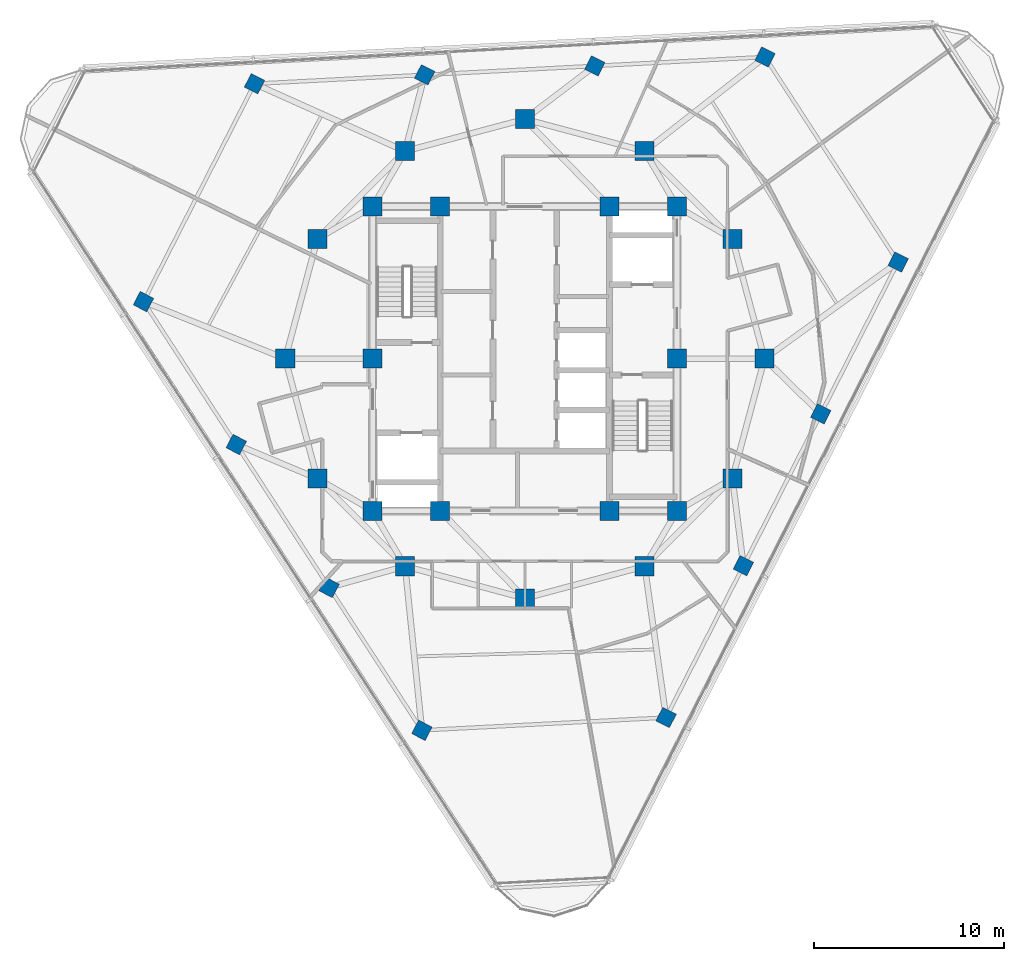
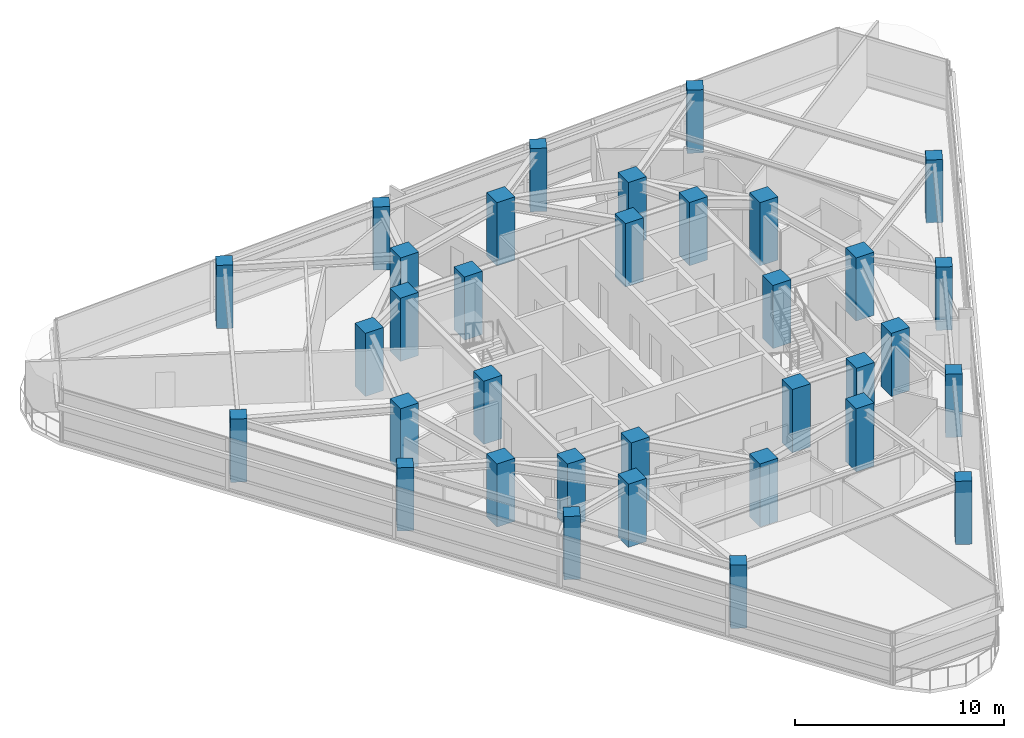
# One storey, part 1 of 15: 34 columns.
"""IFC4 building model written with IfcOpenShell, lengths in metres."""

import ifcopenshell
import ifcopenshell.guid

model = None  # the IFC model being written
_history = None  # IfcOwnerHistory: only IFC2X3 demands one
_inside = {}  # id of a spatial element -> (the spatial element, [elements in it])
_under = {}  # id of a project, library or spatial element -> (it, [spatial elements below it])
_declared = {}  # id of a project -> (the project, [libraries it declares])
_typed = {}  # id of a type object -> (the type object, [elements of that type])
_made_of = {}  # id of a material, layer set ... -> (it, [elements and type objects made of it])


def new_model(schema):
    """Start an empty IFC model of exactly this schema.

    Asked for "IFC4X3", IfcOpenShell would pick the latest addendum, in which some entities
    have other attributes; the version numbers below select the first issue.
    IFC2X3 requires an IfcOwnerHistory on every rooted entity: one is made here for all.
    """
    global model, _history
    if schema == "IFC4X3":
        model = ifcopenshell.file(schema_version=(4, 3, 0, 0))
    else:
        model = ifcopenshell.file(schema=schema)
    _inside.clear()
    _under.clear()
    _declared.clear()
    _typed.clear()
    _made_of.clear()
    _history = None
    if model.schema == "IFC2X3":
        org = make("IfcOrganization", Name="unknown")
        user = make(
            "IfcPersonAndOrganization",
            ThePerson=make("IfcPerson", FamilyName="unknown"),
            TheOrganization=org,
        )
        app = make(
            "IfcApplication",
            ApplicationDeveloper=org,
            Version="unknown",
            ApplicationFullName="unknown",
            ApplicationIdentifier="unknown",
        )
        _history = make(
            "IfcOwnerHistory",
            OwningUser=user,
            OwningApplication=app,
            ChangeAction="ADDED",
            CreationDate=0,
        )
    return model


def make(cls, **values):
    """One entity of the class cls with the attributes given. An attribute that is None is left unset."""
    return model.create_entity(
        cls, **{name: value for name, value in values.items() if value is not None}
    )


def rooted(cls, **values):
    """An entity with a GlobalId (a new one), such as an element, a storey or a relation."""
    return make(cls, GlobalId=ifcopenshell.guid.new(), OwnerHistory=_history, **values)


def si_unit(unit_type, name, prefix=None):
    """IfcSIUnit, for example si_unit("LENGTHUNIT", "METRE", prefix="MILLI")."""
    return make("IfcSIUnit", UnitType=unit_type, Prefix=prefix, Name=name)


def assignment(units):
    """IfcUnitAssignment: the units of a project."""
    return None if units is None else make("IfcUnitAssignment", Units=units)


def point(xyz):
    """IfcCartesianPoint."""
    return None if xyz is None else make("IfcCartesianPoint", Coordinates=xyz)


def direction(xyz):
    """IfcDirection."""
    return None if xyz is None else make("IfcDirection", DirectionRatios=xyz)


def frame(location, z_axis=None, x_axis=None):
    """IfcAxis2Placement3D, a coordinate frame: its origin and axes. An axis left out is left unset."""
    return make(
        "IfcAxis2Placement3D",
        Location=point(location),
        Axis=direction(z_axis),
        RefDirection=direction(x_axis),
    )


def frame_2d(location, x_axis=None):
    """IfcAxis2Placement2D, a coordinate frame in the plane: its origin and x axis."""
    return make(
        "IfcAxis2Placement2D", Location=point(location), RefDirection=direction(x_axis)
    )


def origin():
    """The frame at (0, 0, 0) with its axes left unset."""
    return frame((0.0, 0.0, 0.0))


def origin_2d():
    """The frame at (0, 0) in the plane with its x axis left unset."""
    return frame_2d((0.0, 0.0))


def place(relative_to, where):
    """IfcLocalPlacement: puts the frame where relative to a parent placement (None: the world)."""
    return make(
        "IfcLocalPlacement", PlacementRelTo=relative_to, RelativePlacement=where
    )


def context(
    kind, dimensions, precision=None, world=None, true_north=None, identifier=None
):
    """IfcGeometricRepresentationContext, for example the 3D "Model" context."""
    return make(
        "IfcGeometricRepresentationContext",
        ContextIdentifier=identifier,
        ContextType=kind,
        CoordinateSpaceDimension=dimensions,
        Precision=precision,
        WorldCoordinateSystem=world,
        TrueNorth=true_north,
    )


def subcontext(parent, identifier, kind, view, scale=None):
    """IfcGeometricRepresentationSubContext, for example "Body" below "Model"."""
    return make(
        "IfcGeometricRepresentationSubContext",
        ContextIdentifier=identifier,
        ContextType=kind,
        ParentContext=parent,
        TargetScale=scale,
        TargetView=view,
    )


def project(units=None, contexts=None):
    """IfcProject with its units and contexts."""
    return rooted(
        "IfcProject",
        Name="project",
        RepresentationContexts=contexts,
        UnitsInContext=assignment(units),
    )


def spatial(cls, under=None, at=None, **own):
    """A site, building, storey or space (cls), placed at a placement, below another one or the project."""
    s = rooted(cls, ObjectPlacement=at, **own)
    if under is not None:
        _under.setdefault(under.id(), (under, []))[1].append(s)
    return s


def profile(cls, at=None, kind="AREA", **sizes):
    """A parametric profile (cls). Its sizes go by their IFC names, for example OverallWidth=200.0."""
    return make(cls, ProfileType=kind, Position=at, **sizes)


def rectangle(**sizes):
    """IfcRectangleProfileDef."""
    return profile("IfcRectangleProfileDef", **sizes)


def extrude(swept, where, along, depth):
    """IfcExtrudedAreaSolid: the profile swept, set in the frame where, extruded along a direction by depth."""
    return make(
        "IfcExtrudedAreaSolid",
        SweptArea=swept,
        Position=where,
        ExtrudedDirection=direction(along),
        Depth=depth,
    )


def shape(context_of_items, identifier, shape_type, items):
    """IfcShapeRepresentation: the items that make up one representation, for example the "Body"."""
    return make(
        "IfcShapeRepresentation",
        ContextOfItems=context_of_items,
        RepresentationIdentifier=identifier,
        RepresentationType=shape_type,
        Items=items,
    )


def material(Name=None, Category=None):
    """IfcMaterial."""
    return make("IfcMaterial", Name=Name, Category=Category)


def material_profile(
    of_material, cross_section, Name=None, Category=None, Priority=None
):
    """IfcMaterialProfile: a cross section and its material."""
    return make(
        "IfcMaterialProfile",
        Name=Name,
        Material=of_material,
        Profile=cross_section,
        Priority=Priority,
        Category=Category,
    )


def profile_set(profiles, Name=None, composite=None):
    """IfcMaterialProfileSet."""
    return make(
        "IfcMaterialProfileSet",
        Name=Name,
        MaterialProfiles=profiles,
        CompositeProfile=composite,
    )


def made_of(thing, what):
    """Note that an element or type object is made of a material, layer set ...; save() writes the relation."""
    if what is not None:
        _made_of.setdefault(what.id(), (what, []))[1].append(thing)
    return thing


def type_object(cls, material=None, **own):
    """A type object (cls), such as IfcWallType, which elements share."""
    return made_of(rooted(cls, **own), material)


def element(
    cls,
    number,
    at=None,
    inside=None,
    cuts=None,
    type_object=None,
    material=None,
    context=None,
    identifier="Body",
    shape_type=None,
    held_by="IfcProductDefinitionShape",
    body=None,
    shapes=None,
    **own,
):
    """One element of the class cls, such as IfcWall. Its Tag is "e" and its number.

    at: its placement. inside: the storey or other place that contains it. cuts: it is an
    opening in that element (IfcRelVoidsElement). A single representation is given by context,
    identifier, shape_type and body (its items); several are given by shapes. held_by: the class
    of the entity that holds the representations. save() writes the other relations.
    """
    e = rooted(cls, Tag="e%d" % number, ObjectPlacement=at, **own)
    if body is not None:
        shapes = [shape(context, identifier, shape_type, body)]
    if shapes is not None:
        e.Representation = make(held_by, Representations=shapes)
    if inside is not None:
        _inside.setdefault(inside.id(), (inside, []))[1].append(e)
    if cuts is not None:
        rooted(
            "IfcRelVoidsElement", RelatingBuildingElement=cuts, RelatedOpeningElement=e
        )
    if type_object is not None:
        _typed.setdefault(type_object.id(), (type_object, []))[1].append(e)
    return made_of(e, material)


def aggregate(whole, parts):
    """IfcRelAggregates: a whole, such as a stair, and the parts it consists of."""
    return rooted("IfcRelAggregates", RelatingObject=whole, RelatedObjects=parts)


def save(model, path):
    """Write the relations noted so far, then the file.

    IfcRelAggregates (storeys below a building ...), IfcRelContainedInSpatialStructure (elements
    in a storey), IfcRelDefinesByType, IfcRelAssociatesMaterial and IfcRelDeclares: one each for
    every whole, place, type object, material and project.
    """
    for whole, parts in _under.values():
        aggregate(whole, parts)
    for where, things in _inside.values():
        rooted(
            "IfcRelContainedInSpatialStructure",
            RelatedElements=things,
            RelatingStructure=where,
        )
    for kind, things in _typed.values():
        rooted("IfcRelDefinesByType", RelatedObjects=things, RelatingType=kind)
    for what, things in _made_of.values():
        rooted("IfcRelAssociatesMaterial", RelatedObjects=things, RelatingMaterial=what)
    for by, libraries in _declared.values():
        rooted("IfcRelDeclares", RelatingContext=by, RelatedDefinitions=libraries)
    model.write(path)


model = new_model("IFC4")

# Units and contexts
model_context = context("Model", 3, precision=1e-05, world=origin(), true_north=direction((0.0, 1.0)))
body_context = subcontext(model_context, "Body", "Model", "MODEL_VIEW")
ifc_project = project(units=[si_unit("LENGTHUNIT", "METRE"), si_unit("AREAUNIT", "SQUARE_METRE"), si_unit("VOLUMEUNIT", "CUBIC_METRE"), si_unit("PLANEANGLEUNIT", "RADIAN"), si_unit("MASSUNIT", "GRAM", prefix="KILO")], contexts=[model_context])

# Site, building, storey
site_placement = place(None, origin())
site = spatial("IfcSite", under=ifc_project, at=site_placement, CompositionType="ELEMENT")
building_placement = place(site_placement, origin())
building = spatial("IfcBuilding", under=site, at=building_placement, Name="Terralouvre Media Tower", CompositionType="ELEMENT")
storey_placement = place(building_placement, frame((0.0, 0.0, 255.89990234375)))
storey = spatial("IfcBuildingStorey", under=building, at=storey_placement, Name="L66", CompositionType="ELEMENT", Elevation=255.89990234375)

# Columns
ifc_material_1 = material(Name="Concrete C50/60", Category="concrete")
ifc_material_profile_1 = material_profile(ifc_material_1, rectangle(XDim=1.0, YDim=1.0, at=origin_2d()), Name="RC 1000x1000")
ifc_profile_set_1 = profile_set([ifc_material_profile_1], Name="Concrete C50/60")
column_type_1 = type_object("IfcColumnType", Name="Structural Column C-RC1000 (RC 1000x1000)", PredefinedType="COLUMN", material=ifc_profile_set_1)
for number, where, z_axis, x_axis, name in (
    (1, (-8.0, -8.0, 0.0), (0.0, 0.0, 1.0), (1.0, 0.0, 0.0), "L66 Core Pilaster Column CP1"),
    (2, (-4.449951171875, -8.0, 0.0), (0.0, 0.0, 1.0), (1.0, 0.0, 0.0), "L66 Core Pilaster Column CP2"),
    (3, (4.449951171875, -8.0, 0.0), (0.0, 0.0, 1.0), (1.0, 0.0, 0.0), "L66 Core Pilaster Column CP10"),
    (4, (8.0, -8.0, 0.0), (0.0, 0.0, 1.0), (1.0, 0.0, 0.0), "L66 Core Pilaster Column CP3"),
    (5, (8.0, 0.0, 0.0), (0.0, 0.0, 1.0), (1.0, 0.0, 0.0), "L66 Core Pilaster Column CP4"),
    (6, (8.0, 8.0, 0.0), (0.0, 0.0, 1.0), (1.0, 0.0, 0.0), "L66 Core Pilaster Column CP5"),
    (7, (4.449951171875, 8.0, 0.0), (0.0, 0.0, 1.0), (1.0, 0.0, 0.0), "L66 Core Pilaster Column CP9"),
    (8, (-4.449951171875, 8.0, 0.0), (0.0, 0.0, 1.0), (1.0, 0.0, 0.0), "L66 Core Pilaster Column CP6"),
    (9, (-8.0, 8.0, 0.0), (0.0, 0.0, 1.0), (1.0, 0.0, 0.0), "L66 Core Pilaster Column CP7"),
    (10, (-8.0, 0.0, 0.0), (0.0, 0.0, 1.0), (1.0, 0.0, 0.0), "L66 Core Pilaster Column CP8"),
    (11, (12.60009765625, 0.0, 0.0), (0.0, 0.0, 1.0), (1.0, 0.0, 0.0), "L66 Mega-Frame Column MC01"),
    (12, (10.911865234375, 6.300048828125, 0.0), (0.0, 0.0, 1.0), (1.0, 0.0, 0.0), "L66 Mega-Frame Column MC02"),
    (13, (6.300048828125, 10.911865234375, 0.0), (0.0, 0.0, 1.0), (1.0, 0.0, 0.0), "L66 Mega-Frame Column MC03"),
    (14, (0.0, 12.60009765625, 0.0), (0.0, 0.0, 1.0), (1.0, 0.0, 0.0), "L66 Mega-Frame Column MC04"),
    (15, (-6.300048828125, 10.911865234375, 0.0), (0.0, 0.0, 1.0), (1.0, 0.0, 0.0), "L66 Mega-Frame Column MC05"),
    (16, (-10.911865234375, 6.300048828125, 0.0), (0.0, 0.0, 1.0), (1.0, 0.0, 0.0), "L66 Mega-Frame Column MC06"),
    (17, (-12.60009765625, 0.0, 0.0), (0.0, 0.0, 1.0), (1.0, 0.0, 0.0), "L66 Mega-Frame Column MC07"),
    (18, (-10.911865234375, -6.300048828125, 0.0), (0.0, 0.0, 1.0), (1.0, 0.0, 0.0), "L66 Mega-Frame Column MC08"),
    (19, (-6.300048828125, -10.911865234375, 0.0), (0.0, 0.0, 1.0), (1.0, 0.0, 0.0), "L66 Mega-Frame Column MC09"),
    (20, (0.0, -12.60009765625, 0.0), (0.0, 0.0, 1.0), (1.0, 0.0, 0.0), "L66 Mega-Frame Column MC10"),
    (21, (6.300048828125, -10.911865234375, 0.0), (0.0, 0.0, 1.0), (1.0, 0.0, 0.0), "L66 Mega-Frame Column MC11"),
    (22, (10.911865234375, -6.300048828125, 0.0), (0.0, 0.0, 1.0), (1.0, 0.0, 0.0), "L66 Mega-Frame Column MC12"),
):
    element("IfcColumn", number, at=place(storey_placement, frame(where, z_axis=z_axis, x_axis=x_axis)), inside=storey, type_object=column_type_1, Name=name, PredefinedType="COLUMN", context=body_context, shape_type="SweptSolid", body=[
        extrude(rectangle(XDim=1.0, YDim=1.0, at=origin_2d()), origin(), (0.0, 0.0, 1.0), 3.7001953125),
    ])
ifc_material_2 = material(Name="Concrete C50/60", Category="concrete")
ifc_material_profile_2 = material_profile(ifc_material_2, rectangle(XDim=0.800048828125, YDim=0.800048828125, at=origin_2d()), Name="RC 800x800")
ifc_profile_set_2 = profile_set([ifc_material_profile_2], Name="Concrete C50/60")
column_type_2 = type_object("IfcColumnType", Name="Structural Column C-RC800 (RC 800x800)", PredefinedType="COLUMN", material=ifc_profile_set_2)
for number, where, z_axis, x_axis, name in (
    (23, (7.42626953125, -18.867919921875, 0.0), (0.0, 0.0, 1.0), (0.45399049974, 0.891006524188, 0.0), "L66 Perimeter Mega-Column PC11"),
    (24, (11.493896484375, -10.884521484375, 0.0), (0.0, 0.0, 1.0), (0.45399049974, 0.891006524188, 0.0), "L66 Perimeter Mega-Column PC12"),
    (25, (15.561767578125, -2.901123046875, 0.0), (0.0, 0.0, 1.0), (0.45399049974, 0.891006524188, 0.0), "L66 Perimeter Mega-Column PC13"),
    (26, (19.62939453125, 5.082275390625, 0.0), (0.0, 0.0, 1.0), (0.45399049974, 0.891006524188, 0.0), "L66 Perimeter Mega-Column PC14"),
    (27, (12.626953125, 15.865234375, 0.0), (0.0, 0.0, 1.0), (0.45399049974, 0.891006524188, 0.0), "L66 Perimeter Mega-Column PC21"),
    (28, (3.67919921875, 15.396240234375, 0.0), (0.0, 0.0, 1.0), (0.45399049974, 0.891006524188, 0.0), "L66 Perimeter Mega-Column PC22"),
    (29, (-5.2685546875, 14.927490234375, 0.0), (0.0, 0.0, 1.0), (0.45399049974, 0.891006524188, 0.0), "L66 Perimeter Mega-Column PC23"),
    (30, (-14.21630859375, 14.45849609375, 0.0), (0.0, 0.0, 1.0), (0.45399049974, 0.891006524188, 0.0), "L66 Perimeter Mega-Column PC24"),
    (31, (-20.05322265625, 3.002685546875, 0.0), (0.0, 0.0, 1.0), (0.45399049974, 0.891006524188, 0.0), "L66 Perimeter Mega-Column PC31"),
    (32, (-15.17333984375, -4.51171875, 0.0), (0.0, 0.0, 1.0), (0.45399049974, 0.891006524188, 0.0), "L66 Perimeter Mega-Column PC32"),
    (33, (-10.293212890625, -12.0263671875, 0.0), (0.0, 0.0, 1.0), (0.45399049974, 0.891006524188, 0.0), "L66 Perimeter Mega-Column PC33"),
    (34, (-5.413330078125, -19.540771484375, 0.0), (0.0, 0.0, 1.0), (0.45399049974, 0.891006524188, 0.0), "L66 Perimeter Mega-Column PC34"),
):
    element("IfcColumn", number, at=place(storey_placement, frame(where, z_axis=z_axis, x_axis=x_axis)), inside=storey, type_object=column_type_2, Name=name, PredefinedType="COLUMN", context=body_context, shape_type="SweptSolid", body=[
        extrude(rectangle(XDim=0.800048828125, YDim=0.800048828125, at=origin_2d()), origin(), (0.0, 0.0, 1.0), 3.7001953125),
    ])

save(model, "model.ifc")
